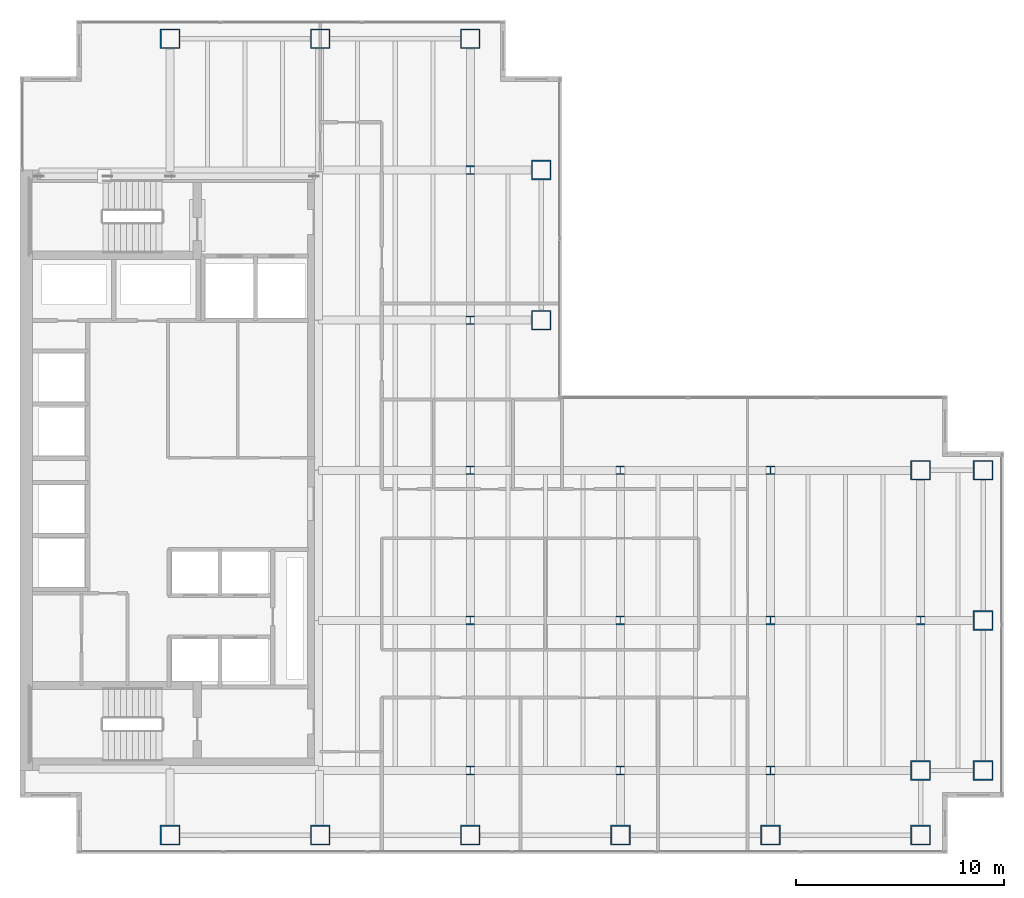
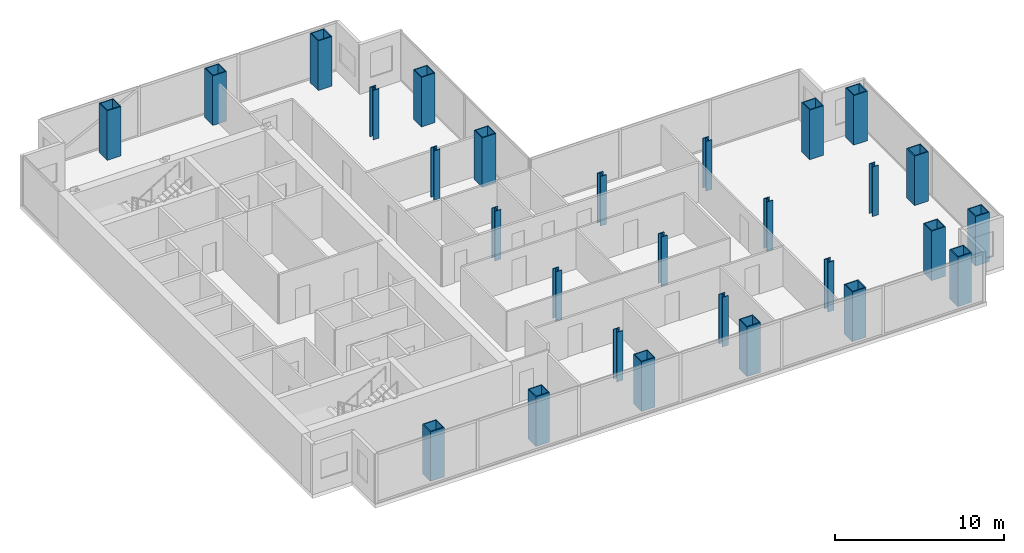
# One storey, part 1 of 23: 28 columns.
"""IFC4 building model written with IfcOpenShell, lengths in metres."""

from ifc_helpers import new_model, si_unit, direction, frame, origin, origin_2d, place, context, subcontext, project, spatial, hollow_rectangle, i_section, extrude, material, material_profile, profile_set, type_object, element, save


model = new_model("IFC4")

# Units and contexts
model_context = context("Model", 3, precision=1e-05, world=origin(), true_north=direction((0.0, 1.0)))
body_context = subcontext(model_context, "Body", "Model", "MODEL_VIEW")
ifc_project = project(units=[si_unit("LENGTHUNIT", "METRE"), si_unit("AREAUNIT", "SQUARE_METRE"), si_unit("VOLUMEUNIT", "CUBIC_METRE"), si_unit("PLANEANGLEUNIT", "RADIAN"), si_unit("MASSUNIT", "GRAM", prefix="KILO")], contexts=[model_context])

# Site, building, storey
site_placement = place(None, origin())
site = spatial("IfcSite", under=ifc_project, at=site_placement, CompositionType="ELEMENT")
building_placement = place(site_placement, origin())
building = spatial("IfcBuilding", under=site, at=building_placement, Name="Cobrela Telecom Tower", CompositionType="ELEMENT")
storey_placement = place(building_placement, frame((0.0, 0.0, 113.75)))
storey = spatial("IfcBuildingStorey", under=building, at=storey_placement, Name="L28", CompositionType="ELEMENT", Elevation=113.75)

# Columns
ifc_material_1 = material(Name="Steel ASTM A992 Grade 50", Category="steel")
ifc_material_profile_1 = material_profile(ifc_material_1, i_section(OverallWidth=0.408935546875, OverallDepth=0.424072265625, WebThickness=0.03271484375, FlangeThickness=0.052490234375, FilletRadius=0.01806640625, at=origin_2d()), Name="W14X283")
ifc_profile_set_1 = profile_set([ifc_material_profile_1], Name="Steel ASTM A992 Grade 50")
column_type_1 = type_object("IfcColumnType", Name="COL-INT-05", PredefinedType="COLUMN", material=ifc_profile_set_1)
for number, where, z_axis, x_axis, name in (
    (1, (21.60009765625, 7.199951171875, 0.0), (0.0, 0.0, 1.0), (1.0, 0.0, 0.0), "L28 Interior Column 06"),
    (2, (21.60009765625, 14.39990234375, 0.0), (0.0, 0.0, 1.0), (1.0, 0.0, 0.0), "L28 Interior Column 07"),
    (3, (21.60009765625, 21.60009765625, 0.0), (0.0, 0.0, 1.0), (1.0, 0.0, 0.0), "L28 Interior Column 08"),
    (4, (21.60009765625, 28.800048828125, 0.0), (0.0, 0.0, 1.0), (1.0, 0.0, 0.0), "L28 Interior Column 09"),
    (5, (21.60009765625, 36.0, 0.0), (0.0, 0.0, 1.0), (1.0, 0.0, 0.0), "L28 Interior Column 10"),
    (6, (28.800048828125, 7.199951171875, 0.0), (0.0, 0.0, 1.0), (1.0, 0.0, 0.0), "L28 Interior Column 15"),
    (7, (28.800048828125, 14.39990234375, 0.0), (0.0, 0.0, 1.0), (1.0, 0.0, 0.0), "L28 Interior Column 16"),
    (8, (28.800048828125, 21.60009765625, 0.0), (0.0, 0.0, 1.0), (1.0, 0.0, 0.0), "L28 Interior Column 17"),
    (9, (36.0, 7.199951171875, 0.0), (0.0, 0.0, 1.0), (1.0, 0.0, 0.0), "L28 Interior Column 19"),
    (10, (36.0, 14.39990234375, 0.0), (0.0, 0.0, 1.0), (1.0, 0.0, 0.0), "L28 Interior Column 20"),
    (11, (36.0, 21.60009765625, 0.0), (0.0, 0.0, 1.0), (1.0, 0.0, 0.0), "L28 Interior Column 21"),
    (12, (43.199951171875, 14.39990234375, 0.0), (0.0, 0.0, 1.0), (1.0, 0.0, 0.0), "L28 Interior Column 24"),
):
    element("IfcColumn", number, at=place(storey_placement, frame(where, z_axis=z_axis, x_axis=x_axis)), inside=storey, type_object=column_type_1, Name=name, PredefinedType="COLUMN", context=body_context, shape_type="SweptSolid", body=[
        extrude(i_section(OverallWidth=0.408935546875, OverallDepth=0.424072265625, WebThickness=0.03271484375, FlangeThickness=0.052490234375, FilletRadius=0.01806640625, at=origin_2d()), origin(), (0.0, 0.0, 1.0), 3.580078125),
    ])
ifc_material_2 = material(Name="Steel ASTM A572 Grade 50", Category="steel")
ifc_material_profile_2 = material_profile(ifc_material_2, hollow_rectangle(XDim=0.949951171875, YDim=0.949951171875, WallThickness=0.06005859375, at=origin_2d()), Name="BOX 950x950x60")
ifc_profile_set_2 = profile_set([ifc_material_profile_2], Name="Steel ASTM A572 Grade 50")
column_type_2 = type_object("IfcColumnType", Name="COL-MEGA-04", PredefinedType="COLUMN", material=ifc_profile_set_2)
for number, where, z_axis, x_axis, name in (
    (13, (7.199951171875, 4.10009765625, 0.0), (0.0, 0.0, 1.0), (1.0, 0.0, 0.0), "L28 Perimeter Mega-Column 01"),
    (14, (7.199951171875, 42.300048828125, 0.0), (0.0, 0.0, 1.0), (1.0, 0.0, 0.0), "L28 Perimeter Mega-Column 02"),
    (15, (14.39990234375, 4.10009765625, 0.0), (0.0, 0.0, 1.0), (1.0, 0.0, 0.0), "L28 Perimeter Mega-Column 03"),
    (16, (14.39990234375, 42.300048828125, 0.0), (0.0, 0.0, 1.0), (1.0, 0.0, 0.0), "L28 Perimeter Mega-Column 04"),
    (17, (21.60009765625, 4.10009765625, 0.0), (0.0, 0.0, 1.0), (1.0, 0.0, 0.0), "L28 Perimeter Mega-Column 05"),
    (18, (21.60009765625, 42.300048828125, 0.0), (0.0, 0.0, 1.0), (1.0, 0.0, 0.0), "L28 Perimeter Mega-Column 11"),
    (19, (25.0, 28.800048828125, 0.0), (0.0, 0.0, 1.0), (1.0, 0.0, 0.0), "L28 Perimeter Mega-Column 12"),
    (20, (25.0, 36.0, 0.0), (0.0, 0.0, 1.0), (1.0, 0.0, 0.0), "L28 Perimeter Mega-Column 13"),
    (21, (28.800048828125, 4.10009765625, 0.0), (0.0, 0.0, 1.0), (1.0, 0.0, 0.0), "L28 Perimeter Mega-Column 14"),
    (22, (36.0, 4.10009765625, 0.0), (0.0, 0.0, 1.0), (1.0, 0.0, 0.0), "L28 Perimeter Mega-Column 18"),
    (23, (43.199951171875, 4.10009765625, 0.0), (0.0, 0.0, 1.0), (1.0, 0.0, 0.0), "L28 Perimeter Mega-Column 22"),
    (24, (43.199951171875, 7.199951171875, 0.0), (0.0, 0.0, 1.0), (1.0, 0.0, 0.0), "L28 Perimeter Mega-Column 23"),
    (25, (43.199951171875, 21.60009765625, 0.0), (0.0, 0.0, 1.0), (1.0, 0.0, 0.0), "L28 Perimeter Mega-Column 25"),
    (26, (46.199951171875, 7.199951171875, 0.0), (0.0, 0.0, 1.0), (1.0, 0.0, 0.0), "L28 Perimeter Mega-Column 26"),
    (27, (46.199951171875, 14.39990234375, 0.0), (0.0, 0.0, 1.0), (1.0, 0.0, 0.0), "L28 Perimeter Mega-Column 27"),
    (28, (46.199951171875, 21.60009765625, 0.0), (0.0, 0.0, 1.0), (1.0, 0.0, 0.0), "L28 Perimeter Mega-Column 28"),
):
    element("IfcColumn", number, at=place(storey_placement, frame(where, z_axis=z_axis, x_axis=x_axis)), inside=storey, type_object=column_type_2, Name=name, PredefinedType="COLUMN", context=body_context, shape_type="SweptSolid", body=[
        extrude(hollow_rectangle(XDim=0.949951171875, YDim=0.949951171875, WallThickness=0.06005859375, at=origin_2d()), origin(), (0.0, 0.0, 1.0), 3.580078125),
    ])

save(model, "model.ifc")
